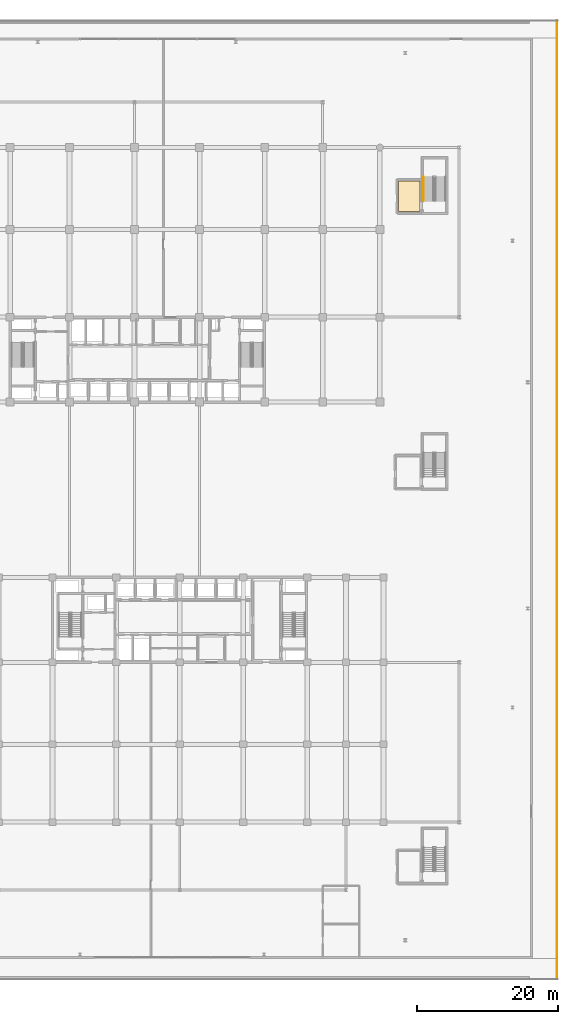
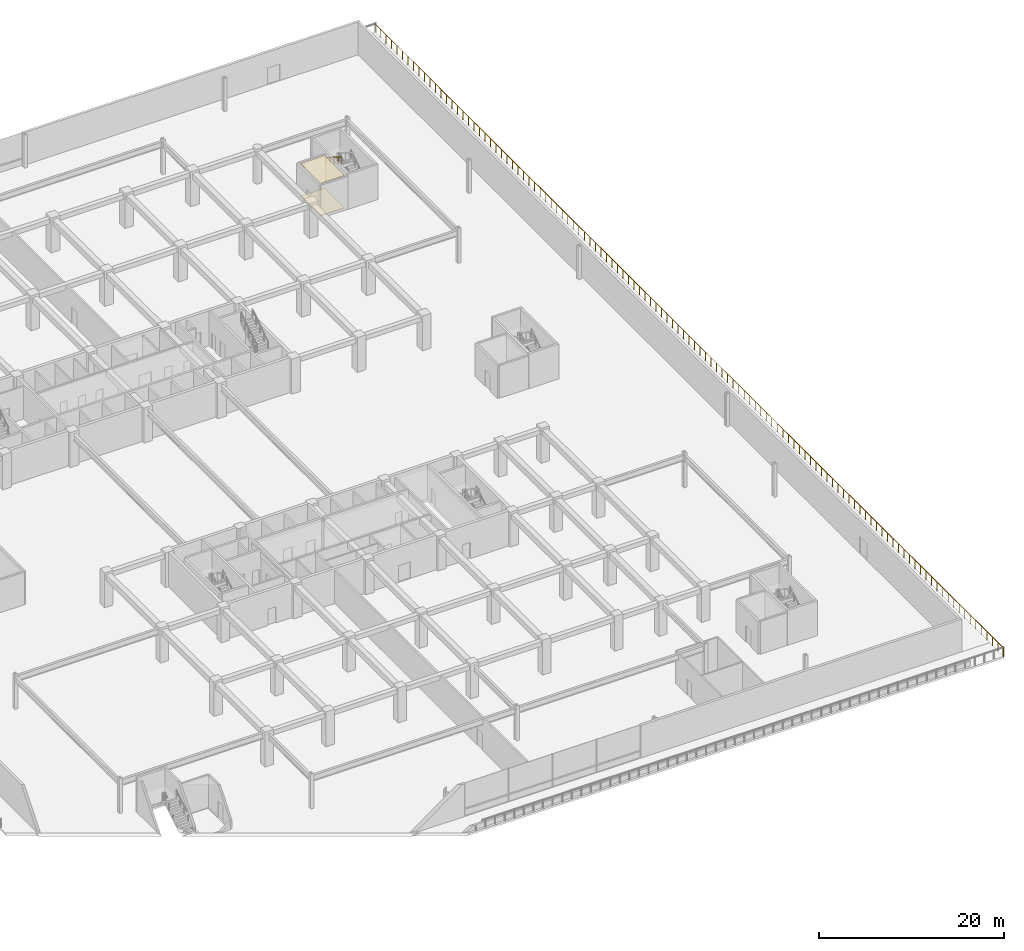
# One storey, part 43 of 45: 2 coverings, 2 railings.
"""IFC4 building model written with IfcOpenShell, lengths in metres."""

from ifc_helpers import new_model, si_unit, direction, frame, origin, origin_2d, place, context, subcontext, project, spatial, polyline, circle, outline, extrude, material, layer, layer_set, type_object, element, save


model = new_model("IFC4")

# Units and contexts
model_context = context("Model", 3, precision=1e-05, world=origin(), true_north=direction((0.0, 1.0)))
body_context = subcontext(model_context, "Body", "Model", "MODEL_VIEW")
ifc_project = project(units=[si_unit("LENGTHUNIT", "METRE"), si_unit("AREAUNIT", "SQUARE_METRE"), si_unit("VOLUMEUNIT", "CUBIC_METRE"), si_unit("PLANEANGLEUNIT", "RADIAN"), si_unit("MASSUNIT", "GRAM", prefix="KILO")], contexts=[model_context])

# Site, building, storey
site_placement = place(None, origin())
site = spatial("IfcSite", under=ifc_project, at=site_placement, CompositionType="ELEMENT")
building_placement = place(site_placement, origin())
building = spatial("IfcBuilding", under=site, at=building_placement, Name="Korimba Cascade Residences", CompositionType="ELEMENT")
storey_placement = place(building_placement, frame((0.0, 0.0, 5.39990234375)))
storey = spatial("IfcBuildingStorey", under=building, at=storey_placement, Name="L01", CompositionType="ELEMENT", Elevation=5.39990234375)

# Coverings
ifc_material_1 = material(Name="Perforated Acoustic Gypsum Ceiling", Category="gypsum")
ifc_layer_1 = layer(ifc_material_1, 0.02490234375)
ifc_layer_set_1 = layer_set([ifc_layer_1], Name="Perforated Acoustic Gypsum Ceiling")
covering_type_1 = type_object("IfcCoveringType", Name="COV-CLG-AC", PredefinedType="CEILING", material=ifc_layer_set_1)
covering_1_placement = place(storey_placement, frame((0.0, 0.0, 4.275146484375)))
element("IfcCovering", 1, at=covering_1_placement, inside=storey, type_object=covering_type_1, Name="L01 Suspended Acoustic Ceiling L01-PL4", PredefinedType="CEILING", context=body_context, shape_type="SweptSolid", body=[
    extrude(outline(polyline([(131.050048828125, 82.14990234375), (134.050048828125, 82.14990234375), (134.050048828125, 86.449951171875), (131.050048828125, 86.449951171875), (131.050048828125, 82.14990234375)])), origin(), (0.0, 0.0, 1.0), 0.02490234375),
])
ifc_material_2 = material(Name="Honed Travertine Stone Flooring", Category="masonry")
ifc_layer_2 = layer(ifc_material_2, 0.02490234375)
ifc_layer_set_2 = layer_set([ifc_layer_2], Name="Honed Travertine Stone Flooring")
covering_type_2 = type_object("IfcCoveringType", Name="COV-FLR-STN", PredefinedType="FLOORING", material=ifc_layer_set_2)
covering_2_placement = place(storey_placement, origin())
element("IfcCovering", 2, at=covering_2_placement, inside=storey, type_object=covering_type_2, Name="L01 Honed Travertine Stone Flooring L01-PL4", PredefinedType="FLOORING", context=body_context, shape_type="SweptSolid", body=[
    extrude(outline(polyline([(131.050048828125, 82.14990234375), (134.050048828125, 82.14990234375), (134.050048828125, 86.449951171875), (131.050048828125, 86.449951171875), (131.050048828125, 82.14990234375)])), origin(), (0.0, 0.0, 1.0), 0.025146484375),
])

# Railings
ifc_material_3 = material(Name="Brushed Stainless Steel Handrail", Category="steel")
railing_type_1 = type_object("IfcRailingType", Name="RLG-ST-HR900", PredefinedType="HANDRAIL", material=ifc_material_3)
railing_1_placement = place(storey_placement, frame((134.550048828125, 87.010009765625, 2.65771484375)))
element("IfcRailing", 3, at=railing_1_placement, inside=storey, type_object=railing_type_1, Name="L01 ST-P4 stair handrail 2", PredefinedType="HANDRAIL", context=body_context, shape_type="SweptSolid", body=[
    extrude(circle(Radius=0.02392578125, at=origin_2d()), frame((0.0, 0.0, 0.8759765625), z_axis=(0.0, -0.845389635667, 0.534150132366), x_axis=(1.0, 0.0, 0.0)), (0.0, 0.0, 1.0), 3.974609375),
    extrude(circle(Radius=0.02099609375, at=origin_2d()), origin(), (0.0, 0.0, 1.0), 0.851806640625),
    extrude(circle(Radius=0.02099609375, at=origin_2d()), frame((0.0, -0.840087890625, 0.53076171875)), (0.0, 0.0, 1.0), 0.851806640625),
    extrude(circle(Radius=0.02099609375, at=origin_2d()), frame((0.0, -1.68017578125, 1.0615234375)), (0.0, 0.0, 1.0), 0.851806640625),
    extrude(circle(Radius=0.02099609375, at=origin_2d()), frame((0.0, -2.52001953125, 1.59228515625)), (0.0, 0.0, 1.0), 0.851806640625),
    extrude(circle(Radius=0.02099609375, at=origin_2d()), frame((0.0, -3.360107421875, 2.123046875)), (0.0, 0.0, 1.0), 0.851806640625),
])
ifc_material_4 = material(Name="Painted Galvanised Steel Terrace Guardrail", Category="steel")
railing_type_2 = type_object("IfcRailingType", Name="RLG-TER-1150", PredefinedType="GUARDRAIL", material=ifc_material_4)
railing_2_placement = place(storey_placement, frame((153.419921875, -26.5, 0.0)))
element("IfcRailing", 4, at=railing_2_placement, inside=storey, type_object=railing_type_2, Name="L01 Perimeter Guardrail RLG-L01-TER-02", PredefinedType="GUARDRAIL", context=body_context, shape_type="SweptSolid", body=[
    extrude(circle(Radius=0.02392578125, at=origin_2d()), frame((0.0, 0.0, 1.1259765625), z_axis=(0.0, 1.0, 0.0), x_axis=(-1.0, 0.0, 0.0)), (0.0, 0.0, 1.0), 135.699951171875),
    extrude(circle(Radius=0.02099609375, at=origin_2d()), origin(), (0.0, 0.0, 1.0), 1.101806640625),
    extrude(circle(Radius=0.02099609375, at=origin_2d()), frame((0.0, 1.1904296875, 0.0)), (0.0, 0.0, 1.0), 1.101806640625),
    extrude(circle(Radius=0.02099609375, at=origin_2d()), frame((0.0, 2.380615234375, 0.0)), (0.0, 0.0, 1.0), 1.101806640625),
    extrude(circle(Radius=0.02099609375, at=origin_2d()), frame((0.0, 3.571044921875, 0.0)), (0.0, 0.0, 1.0), 1.101806640625),
    extrude(circle(Radius=0.02099609375, at=origin_2d()), frame((0.0, 4.761474609375, 0.0)), (0.0, 0.0, 1.0), 1.101806640625),
    extrude(circle(Radius=0.02099609375, at=origin_2d()), frame((0.0, 5.95166015625, 0.0)), (0.0, 0.0, 1.0), 1.101806640625),
    extrude(circle(Radius=0.02099609375, at=origin_2d()), frame((0.0, 7.14208984375, 0.0)), (0.0, 0.0, 1.0), 1.101806640625),
    extrude(circle(Radius=0.02099609375, at=origin_2d()), frame((0.0, 8.33251953125, 0.0)), (0.0, 0.0, 1.0), 1.101806640625),
    extrude(circle(Radius=0.02099609375, at=origin_2d()), frame((0.0, 9.522705078125, 0.0)), (0.0, 0.0, 1.0), 1.101806640625),
    extrude(circle(Radius=0.02099609375, at=origin_2d()), frame((0.0, 10.713134765625, 0.0)), (0.0, 0.0, 1.0), 1.101806640625),
    extrude(circle(Radius=0.02099609375, at=origin_2d()), frame((0.0, 11.903564453125, 0.0)), (0.0, 0.0, 1.0), 1.101806640625),
    extrude(circle(Radius=0.02099609375, at=origin_2d()), frame((0.0, 13.09375, 0.0)), (0.0, 0.0, 1.0), 1.101806640625),
    extrude(circle(Radius=0.02099609375, at=origin_2d()), frame((0.0, 14.2841796875, 0.0)), (0.0, 0.0, 1.0), 1.101806640625),
    extrude(circle(Radius=0.02099609375, at=origin_2d()), frame((0.0, 15.474609375, 0.0)), (0.0, 0.0, 1.0), 1.101806640625),
    extrude(circle(Radius=0.02099609375, at=origin_2d()), frame((0.0, 16.664794921875, 0.0)), (0.0, 0.0, 1.0), 1.101806640625),
    extrude(circle(Radius=0.02099609375, at=origin_2d()), frame((0.0, 17.855224609375, 0.0)), (0.0, 0.0, 1.0), 1.101806640625),
    extrude(circle(Radius=0.02099609375, at=origin_2d()), frame((0.0, 19.045654296875, 0.0)), (0.0, 0.0, 1.0), 1.101806640625),
    extrude(circle(Radius=0.02099609375, at=origin_2d()), frame((0.0, 20.23583984375, 0.0)), (0.0, 0.0, 1.0), 1.101806640625),
    extrude(circle(Radius=0.02099609375, at=origin_2d()), frame((0.0, 21.42626953125, 0.0)), (0.0, 0.0, 1.0), 1.101806640625),
    extrude(circle(Radius=0.02099609375, at=origin_2d()), frame((0.0, 22.61669921875, 0.0)), (0.0, 0.0, 1.0), 1.101806640625),
    extrude(circle(Radius=0.02099609375, at=origin_2d()), frame((0.0, 23.80712890625, 0.0)), (0.0, 0.0, 1.0), 1.101806640625),
    extrude(circle(Radius=0.02099609375, at=origin_2d()), frame((0.0, 24.997314453125, 0.0)), (0.0, 0.0, 1.0), 1.101806640625),
    extrude(circle(Radius=0.02099609375, at=origin_2d()), frame((0.0, 26.187744140625, 0.0)), (0.0, 0.0, 1.0), 1.101806640625),
    extrude(circle(Radius=0.02099609375, at=origin_2d()), frame((0.0, 27.378173828125, 0.0)), (0.0, 0.0, 1.0), 1.101806640625),
    extrude(circle(Radius=0.02099609375, at=origin_2d()), frame((0.0, 28.568359375, 0.0)), (0.0, 0.0, 1.0), 1.101806640625),
    extrude(circle(Radius=0.02099609375, at=origin_2d()), frame((0.0, 29.7587890625, 0.0)), (0.0, 0.0, 1.0), 1.101806640625),
    extrude(circle(Radius=0.02099609375, at=origin_2d()), frame((0.0, 30.94921875, 0.0)), (0.0, 0.0, 1.0), 1.101806640625),
    extrude(circle(Radius=0.02099609375, at=origin_2d()), frame((0.0, 32.139404296875, 0.0)), (0.0, 0.0, 1.0), 1.101806640625),
    extrude(circle(Radius=0.02099609375, at=origin_2d()), frame((0.0, 33.329833984375, 0.0)), (0.0, 0.0, 1.0), 1.101806640625),
    extrude(circle(Radius=0.02099609375, at=origin_2d()), frame((0.0, 34.520263671875, 0.0)), (0.0, 0.0, 1.0), 1.101806640625),
    extrude(circle(Radius=0.02099609375, at=origin_2d()), frame((0.0, 35.71044921875, 0.0)), (0.0, 0.0, 1.0), 1.101806640625),
    extrude(circle(Radius=0.02099609375, at=origin_2d()), frame((0.0, 36.90087890625, 0.0)), (0.0, 0.0, 1.0), 1.101806640625),
    extrude(circle(Radius=0.02099609375, at=origin_2d()), frame((0.0, 38.09130859375, 0.0)), (0.0, 0.0, 1.0), 1.101806640625),
    extrude(circle(Radius=0.02099609375, at=origin_2d()), frame((0.0, 39.281494140625, 0.0)), (0.0, 0.0, 1.0), 1.101806640625),
    extrude(circle(Radius=0.02099609375, at=origin_2d()), frame((0.0, 40.471923828125, 0.0)), (0.0, 0.0, 1.0), 1.101806640625),
    extrude(circle(Radius=0.02099609375, at=origin_2d()), frame((0.0, 41.662353515625, 0.0)), (0.0, 0.0, 1.0), 1.101806640625),
    extrude(circle(Radius=0.02099609375, at=origin_2d()), frame((0.0, 42.8525390625, 0.0)), (0.0, 0.0, 1.0), 1.101806640625),
    extrude(circle(Radius=0.02099609375, at=origin_2d()), frame((0.0, 44.04296875, 0.0)), (0.0, 0.0, 1.0), 1.101806640625),
    extrude(circle(Radius=0.02099609375, at=origin_2d()), frame((0.0, 45.2333984375, 0.0)), (0.0, 0.0, 1.0), 1.101806640625),
    extrude(circle(Radius=0.02099609375, at=origin_2d()), frame((0.0, 46.423583984375, 0.0)), (0.0, 0.0, 1.0), 1.101806640625),
    extrude(circle(Radius=0.02099609375, at=origin_2d()), frame((0.0, 47.614013671875, 0.0)), (0.0, 0.0, 1.0), 1.101806640625),
    extrude(circle(Radius=0.02099609375, at=origin_2d()), frame((0.0, 48.804443359375, 0.0)), (0.0, 0.0, 1.0), 1.101806640625),
    extrude(circle(Radius=0.02099609375, at=origin_2d()), frame((0.0, 49.99462890625, 0.0)), (0.0, 0.0, 1.0), 1.101806640625),
    extrude(circle(Radius=0.02099609375, at=origin_2d()), frame((0.0, 51.18505859375, 0.0)), (0.0, 0.0, 1.0), 1.101806640625),
    extrude(circle(Radius=0.02099609375, at=origin_2d()), frame((0.0, 52.37548828125, 0.0)), (0.0, 0.0, 1.0), 1.101806640625),
    extrude(circle(Radius=0.02099609375, at=origin_2d()), frame((0.0, 53.565673828125, 0.0)), (0.0, 0.0, 1.0), 1.101806640625),
    extrude(circle(Radius=0.02099609375, at=origin_2d()), frame((0.0, 54.756103515625, 0.0)), (0.0, 0.0, 1.0), 1.101806640625),
    extrude(circle(Radius=0.02099609375, at=origin_2d()), frame((0.0, 55.946533203125, 0.0)), (0.0, 0.0, 1.0), 1.101806640625),
    extrude(circle(Radius=0.02099609375, at=origin_2d()), frame((0.0, 57.13671875, 0.0)), (0.0, 0.0, 1.0), 1.101806640625),
    extrude(circle(Radius=0.02099609375, at=origin_2d()), frame((0.0, 58.3271484375, 0.0)), (0.0, 0.0, 1.0), 1.101806640625),
    extrude(circle(Radius=0.02099609375, at=origin_2d()), frame((0.0, 59.517578125, 0.0)), (0.0, 0.0, 1.0), 1.101806640625),
    extrude(circle(Radius=0.02099609375, at=origin_2d()), frame((0.0, 60.707763671875, 0.0)), (0.0, 0.0, 1.0), 1.101806640625),
    extrude(circle(Radius=0.02099609375, at=origin_2d()), frame((0.0, 61.898193359375, 0.0)), (0.0, 0.0, 1.0), 1.101806640625),
    extrude(circle(Radius=0.02099609375, at=origin_2d()), frame((0.0, 63.088623046875, 0.0)), (0.0, 0.0, 1.0), 1.101806640625),
    extrude(circle(Radius=0.02099609375, at=origin_2d()), frame((0.0, 64.27880859375, 0.0)), (0.0, 0.0, 1.0), 1.101806640625),
    extrude(circle(Radius=0.02099609375, at=origin_2d()), frame((0.0, 65.46923828125, 0.0)), (0.0, 0.0, 1.0), 1.101806640625),
    extrude(circle(Radius=0.02099609375, at=origin_2d()), frame((0.0, 66.65966796875, 0.0)), (0.0, 0.0, 1.0), 1.101806640625),
    extrude(circle(Radius=0.02099609375, at=origin_2d()), frame((0.0, 67.85009765625, 0.0)), (0.0, 0.0, 1.0), 1.101806640625),
    extrude(circle(Radius=0.02099609375, at=origin_2d()), frame((0.0, 69.040283203125, 0.0)), (0.0, 0.0, 1.0), 1.101806640625),
    extrude(circle(Radius=0.02099609375, at=origin_2d()), frame((0.0, 70.230712890625, 0.0)), (0.0, 0.0, 1.0), 1.101806640625),
    extrude(circle(Radius=0.02099609375, at=origin_2d()), frame((0.0, 71.421142578125, 0.0)), (0.0, 0.0, 1.0), 1.101806640625),
    extrude(circle(Radius=0.02099609375, at=origin_2d()), frame((0.0, 72.611328125, 0.0)), (0.0, 0.0, 1.0), 1.101806640625),
    extrude(circle(Radius=0.02099609375, at=origin_2d()), frame((0.0, 73.8017578125, 0.0)), (0.0, 0.0, 1.0), 1.101806640625),
    extrude(circle(Radius=0.02099609375, at=origin_2d()), frame((0.0, 74.9921875, 0.0)), (0.0, 0.0, 1.0), 1.101806640625),
    extrude(circle(Radius=0.02099609375, at=origin_2d()), frame((0.0, 76.182373046875, 0.0)), (0.0, 0.0, 1.0), 1.101806640625),
    extrude(circle(Radius=0.02099609375, at=origin_2d()), frame((0.0, 77.372802734375, 0.0)), (0.0, 0.0, 1.0), 1.101806640625),
    extrude(circle(Radius=0.02099609375, at=origin_2d()), frame((0.0, 78.563232421875, 0.0)), (0.0, 0.0, 1.0), 1.101806640625),
    extrude(circle(Radius=0.02099609375, at=origin_2d()), frame((0.0, 79.75341796875, 0.0)), (0.0, 0.0, 1.0), 1.101806640625),
    extrude(circle(Radius=0.02099609375, at=origin_2d()), frame((0.0, 80.94384765625, 0.0)), (0.0, 0.0, 1.0), 1.101806640625),
    extrude(circle(Radius=0.02099609375, at=origin_2d()), frame((0.0, 82.13427734375, 0.0)), (0.0, 0.0, 1.0), 1.101806640625),
    extrude(circle(Radius=0.02099609375, at=origin_2d()), frame((0.0, 83.324462890625, 0.0)), (0.0, 0.0, 1.0), 1.101806640625),
    extrude(circle(Radius=0.02099609375, at=origin_2d()), frame((0.0, 84.514892578125, 0.0)), (0.0, 0.0, 1.0), 1.101806640625),
    extrude(circle(Radius=0.02099609375, at=origin_2d()), frame((0.0, 85.705322265625, 0.0)), (0.0, 0.0, 1.0), 1.101806640625),
    extrude(circle(Radius=0.02099609375, at=origin_2d()), frame((0.0, 86.8955078125, 0.0)), (0.0, 0.0, 1.0), 1.101806640625),
    extrude(circle(Radius=0.02099609375, at=origin_2d()), frame((0.0, 88.0859375, 0.0)), (0.0, 0.0, 1.0), 1.101806640625),
    extrude(circle(Radius=0.02099609375, at=origin_2d()), frame((0.0, 89.2763671875, 0.0)), (0.0, 0.0, 1.0), 1.101806640625),
    extrude(circle(Radius=0.02099609375, at=origin_2d()), frame((0.0, 90.466552734375, 0.0)), (0.0, 0.0, 1.0), 1.101806640625),
    extrude(circle(Radius=0.02099609375, at=origin_2d()), frame((0.0, 91.656982421875, 0.0)), (0.0, 0.0, 1.0), 1.101806640625),
    extrude(circle(Radius=0.02099609375, at=origin_2d()), frame((0.0, 92.847412109375, 0.0)), (0.0, 0.0, 1.0), 1.101806640625),
    extrude(circle(Radius=0.02099609375, at=origin_2d()), frame((0.0, 94.03759765625, 0.0)), (0.0, 0.0, 1.0), 1.101806640625),
    extrude(circle(Radius=0.02099609375, at=origin_2d()), frame((0.0, 95.22802734375, 0.0)), (0.0, 0.0, 1.0), 1.101806640625),
    extrude(circle(Radius=0.02099609375, at=origin_2d()), frame((0.0, 96.41845703125, 0.0)), (0.0, 0.0, 1.0), 1.101806640625),
    extrude(circle(Radius=0.02099609375, at=origin_2d()), frame((0.0, 97.608642578125, 0.0)), (0.0, 0.0, 1.0), 1.101806640625),
    extrude(circle(Radius=0.02099609375, at=origin_2d()), frame((0.0, 98.799072265625, 0.0)), (0.0, 0.0, 1.0), 1.101806640625),
    extrude(circle(Radius=0.02099609375, at=origin_2d()), frame((0.0, 99.989501953125, 0.0)), (0.0, 0.0, 1.0), 1.101806640625),
    extrude(circle(Radius=0.02099609375, at=origin_2d()), frame((0.0, 101.1796875, 0.0)), (0.0, 0.0, 1.0), 1.101806640625),
    extrude(circle(Radius=0.02099609375, at=origin_2d()), frame((0.0, 102.3701171875, 0.0)), (0.0, 0.0, 1.0), 1.101806640625),
    extrude(circle(Radius=0.02099609375, at=origin_2d()), frame((0.0, 103.560546875, 0.0)), (0.0, 0.0, 1.0), 1.101806640625),
    extrude(circle(Radius=0.02099609375, at=origin_2d()), frame((0.0, 104.750732421875, 0.0)), (0.0, 0.0, 1.0), 1.101806640625),
    extrude(circle(Radius=0.02099609375, at=origin_2d()), frame((0.0, 105.941162109375, 0.0)), (0.0, 0.0, 1.0), 1.101806640625),
    extrude(circle(Radius=0.02099609375, at=origin_2d()), frame((0.0, 107.131591796875, 0.0)), (0.0, 0.0, 1.0), 1.101806640625),
    extrude(circle(Radius=0.02099609375, at=origin_2d()), frame((0.0, 108.32177734375, 0.0)), (0.0, 0.0, 1.0), 1.101806640625),
    extrude(circle(Radius=0.02099609375, at=origin_2d()), frame((0.0, 109.51220703125, 0.0)), (0.0, 0.0, 1.0), 1.101806640625),
    extrude(circle(Radius=0.02099609375, at=origin_2d()), frame((0.0, 110.70263671875, 0.0)), (0.0, 0.0, 1.0), 1.101806640625),
    extrude(circle(Radius=0.02099609375, at=origin_2d()), frame((0.0, 111.892822265625, 0.0)), (0.0, 0.0, 1.0), 1.101806640625),
    extrude(circle(Radius=0.02099609375, at=origin_2d()), frame((0.0, 113.083251953125, 0.0)), (0.0, 0.0, 1.0), 1.101806640625),
    extrude(circle(Radius=0.02099609375, at=origin_2d()), frame((0.0, 114.273681640625, 0.0)), (0.0, 0.0, 1.0), 1.101806640625),
    extrude(circle(Radius=0.02099609375, at=origin_2d()), frame((0.0, 115.464111328125, 0.0)), (0.0, 0.0, 1.0), 1.101806640625),
    extrude(circle(Radius=0.02099609375, at=origin_2d()), frame((0.0, 116.654296875, 0.0)), (0.0, 0.0, 1.0), 1.101806640625),
    extrude(circle(Radius=0.02099609375, at=origin_2d()), frame((0.0, 117.8447265625, 0.0)), (0.0, 0.0, 1.0), 1.101806640625),
    extrude(circle(Radius=0.02099609375, at=origin_2d()), frame((0.0, 119.03515625, 0.0)), (0.0, 0.0, 1.0), 1.101806640625),
    extrude(circle(Radius=0.02099609375, at=origin_2d()), frame((0.0, 120.225341796875, 0.0)), (0.0, 0.0, 1.0), 1.101806640625),
    extrude(circle(Radius=0.02099609375, at=origin_2d()), frame((0.0, 121.415771484375, 0.0)), (0.0, 0.0, 1.0), 1.101806640625),
    extrude(circle(Radius=0.02099609375, at=origin_2d()), frame((0.0, 122.606201171875, 0.0)), (0.0, 0.0, 1.0), 1.101806640625),
    extrude(circle(Radius=0.02099609375, at=origin_2d()), frame((0.0, 123.79638671875, 0.0)), (0.0, 0.0, 1.0), 1.101806640625),
    extrude(circle(Radius=0.02099609375, at=origin_2d()), frame((0.0, 124.98681640625, 0.0)), (0.0, 0.0, 1.0), 1.101806640625),
    extrude(circle(Radius=0.02099609375, at=origin_2d()), frame((0.0, 126.17724609375, 0.0)), (0.0, 0.0, 1.0), 1.101806640625),
    extrude(circle(Radius=0.02099609375, at=origin_2d()), frame((0.0, 127.367431640625, 0.0)), (0.0, 0.0, 1.0), 1.101806640625),
    extrude(circle(Radius=0.02099609375, at=origin_2d()), frame((0.0, 128.557861328125, 0.0)), (0.0, 0.0, 1.0), 1.101806640625),
    extrude(circle(Radius=0.02099609375, at=origin_2d()), frame((0.0, 129.748291015625, 0.0)), (0.0, 0.0, 1.0), 1.101806640625),
    extrude(circle(Radius=0.02099609375, at=origin_2d()), frame((0.0, 130.9384765625, 0.0)), (0.0, 0.0, 1.0), 1.101806640625),
    extrude(circle(Radius=0.02099609375, at=origin_2d()), frame((0.0, 132.12890625, 0.0)), (0.0, 0.0, 1.0), 1.101806640625),
    extrude(circle(Radius=0.02099609375, at=origin_2d()), frame((0.0, 133.3193359375, 0.0)), (0.0, 0.0, 1.0), 1.101806640625),
    extrude(circle(Radius=0.02099609375, at=origin_2d()), frame((0.0, 134.509521484375, 0.0)), (0.0, 0.0, 1.0), 1.101806640625),
    extrude(circle(Radius=0.02099609375, at=origin_2d()), frame((0.0, 135.699951171875, 0.0)), (0.0, 0.0, 1.0), 1.101806640625),
])

save(model, "model.ifc")
